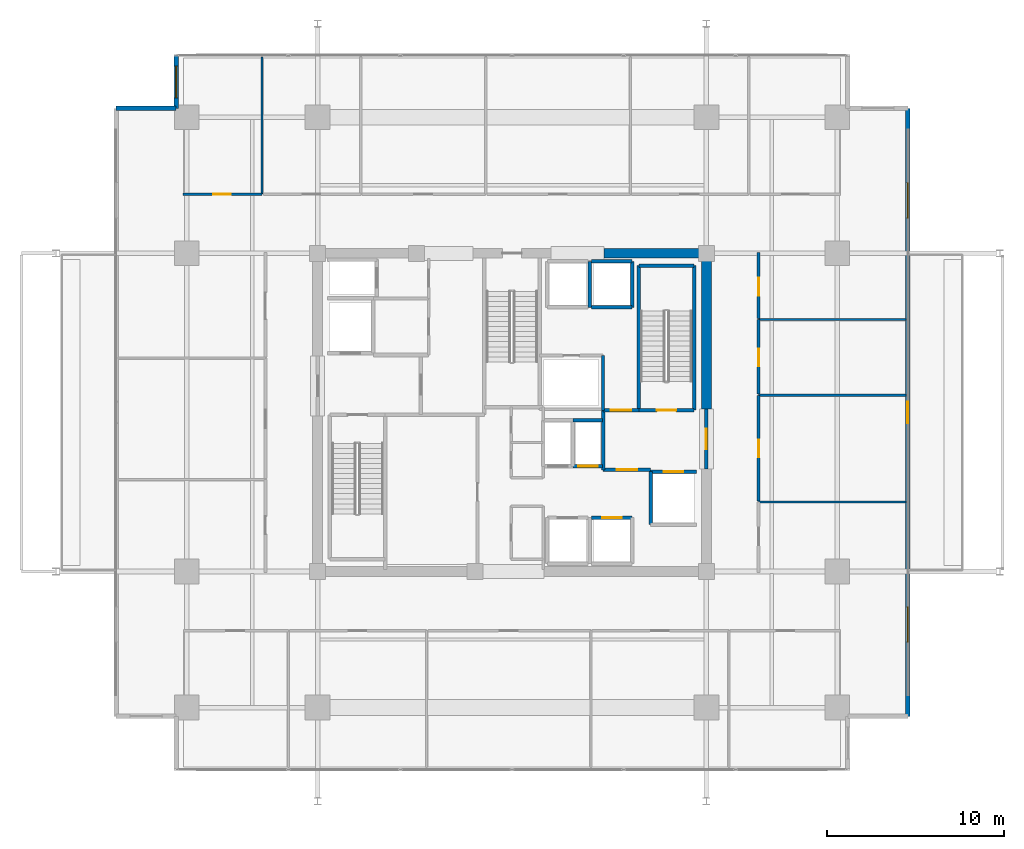
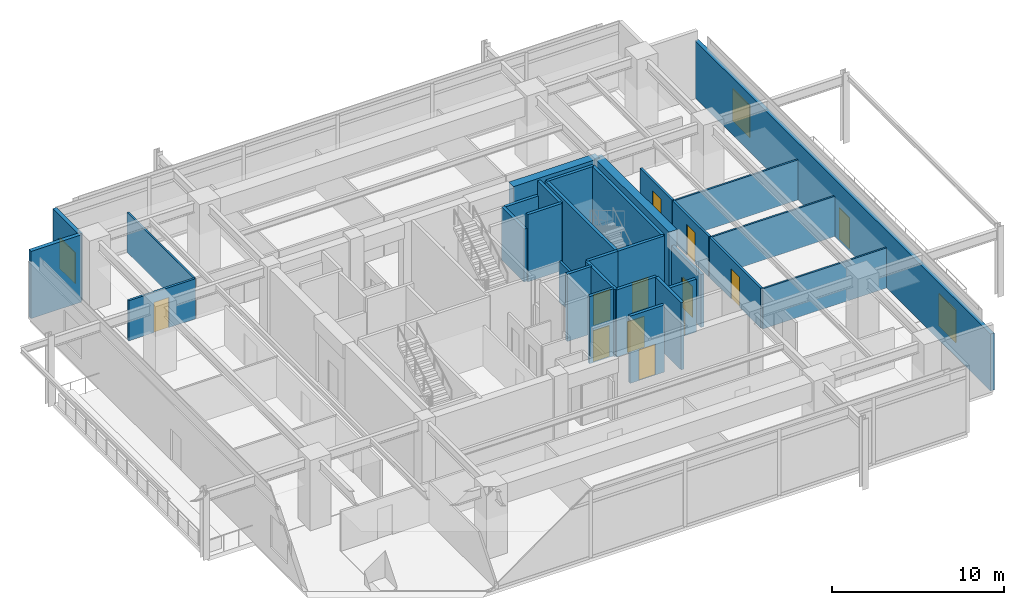
# One storey, part 14 of 19: 31 walls, 12 doors, 3 windows, 15 openings.
"""IFC4 building model written with IfcOpenShell, lengths in metres."""

from ifc_helpers import new_model, si_unit, direction, frame, frame_2d, origin, place, context, subcontext, project, spatial, rectangle, extrude, material, layer, layer_set, type_object, element, fill, save


model = new_model("IFC4")

# Units and contexts
model_context = context("Model", 3, precision=1e-05, world=origin(), true_north=direction((0.0, 1.0)))
body_context = subcontext(model_context, "Body", "Model", "MODEL_VIEW")
ifc_project = project(units=[si_unit("LENGTHUNIT", "METRE"), si_unit("AREAUNIT", "SQUARE_METRE"), si_unit("VOLUMEUNIT", "CUBIC_METRE"), si_unit("PLANEANGLEUNIT", "RADIAN"), si_unit("MASSUNIT", "GRAM", prefix="KILO")], contexts=[model_context])

# Site, building, storey
site_placement = place(None, origin())
site = spatial("IfcSite", under=ifc_project, at=site_placement, CompositionType="ELEMENT")
building_placement = place(site_placement, origin())
building = spatial("IfcBuilding", under=site, at=building_placement, Name="Kovane Verandah Tower", CompositionType="ELEMENT")
storey_placement = place(building_placement, frame((0.0, 0.0, 200.199951171875)))
storey = spatial("IfcBuildingStorey", under=building, at=storey_placement, Name="L46", CompositionType="ELEMENT", Elevation=200.199951171875)

# Wall
ifc_material_1 = material(Name="Fire-Rated Gypsum Stud Partition", Category="gypsum")
ifc_layer_1 = layer(ifc_material_1, 0.14990234375)
ifc_layer_set_1 = layer_set([ifc_layer_1], Name="Fire-Rated Gypsum Stud Partition")
wall_type_1 = type_object("IfcWallType", Name="WL-COR-150", PredefinedType="PARTITIONING", material=ifc_layer_set_1)
wall_1_placement = place(storey_placement, frame((45.14990234375, 27.6201171875, 0.0), z_axis=(0.0, 0.0, 1.0), x_axis=(0.0, 1.0, 0.0)))
element("IfcWall", 1, at=wall_1_placement, inside=storey, type_object=wall_type_1, Name="L46 East Core Service Riser East Wall", PredefinedType="PARTITIONING", context=body_context, shape_type="SweptSolid", body=[
    extrude(rectangle(XDim=3.099853515625, YDim=0.14990234375, at=frame_2d((1.5498046875, 0.0))), origin(), (0.0, 0.0, 1.0), 2.85009765625),
])

# Wall, opening, door
wall_2_placement = place(storey_placement, frame((21.39990234375, 39.85009765625, 0.0), z_axis=(0.0, 0.0, 1.0), x_axis=(1.0, 0.0, 0.0)))
wall_2 = element("IfcWall", 2, at=wall_2_placement, inside=storey, type_object=wall_type_1, Name="L46 Sky-Garden Botanical Co-Working Hall N1 Corridor Partition", PredefinedType="PARTITIONING", context=body_context, shape_type="SweptSolid", body=[
    extrude(rectangle(XDim=4.464111328125, YDim=0.14990234375, at=frame_2d((2.23193359375, 0.0))), origin(), (0.0, 0.0, 1.0), 2.85009765625),
])
opening_1_placement = place(wall_2_placement, frame((1.697021484375, 0.0, 0.0)))
opening_1 = element("IfcOpeningElement", 3, at=opening_1_placement, cuts=wall_2, Name="Opening DR-L46-018", PredefinedType="OPENING", context=body_context, shape_type="SweptSolid", body=[
    extrude(rectangle(XDim=1.0, YDim=2.14990234375, at=frame_2d((0.5, 1.074951171875))), frame((0.0, 0.074951171875, 0.0), z_axis=(0.0, -1.0, 0.0), x_axis=(1.0, 0.0, 0.0)), (0.0, 0.0, 1.0), 0.14990234375),
])
ifc_material_2 = material(Name="FSC Spotted-Gum Timber Fire-Rated Office Door", Category="wood")
door_type_1 = type_object("IfcDoorType", Name="DR-OFF-1000", OperationType="SINGLE_SWING_LEFT", PredefinedType="DOOR", material=ifc_material_2)
door_1_placement = place(opening_1_placement, origin())
door_1 = element("IfcDoor", 4, at=door_1_placement, inside=storey, type_object=door_type_1, Name="L46 Sky-Garden Botanical Co-Working Hall N1 Entrance Door", OperationType="SINGLE_SWING_RIGHT", OverallHeight=2.14990234375, OverallWidth=1.0, PredefinedType="DOOR", context=body_context, shape_type="SweptSolid", body=[
    extrude(rectangle(XDim=1.0, YDim=2.14990234375, at=frame_2d((0.5, 1.074951171875))), frame((0.0, 0.02490234375, 0.0), z_axis=(0.0, -1.0, 0.0), x_axis=(1.0, 0.0, 0.0)), (0.0, 0.0, 1.0), 0.050048828125),
])
fill(opening_1, door_1)

wall_3_placement = place(storey_placement, frame((53.949951171875, 22.501953125, 0.0), z_axis=(0.0, 0.0, 1.0), x_axis=(0.0, 1.0, 0.0)))
wall_3 = element("IfcWall", 5, at=wall_3_placement, inside=storey, type_object=wall_type_1, Name="L46 Focus Studio E2 Corridor Partition", PredefinedType="PARTITIONING", context=body_context, shape_type="SweptSolid", body=[
    extrude(rectangle(XDim=5.968017578125, YDim=0.14990234375, at=frame_2d((2.98388671875, 0.0))), origin(), (0.0, 0.0, 1.0), 2.85009765625),
])
opening_2_placement = place(wall_3_placement, frame((2.448974609375, 0.0, 0.0)))
opening_2 = element("IfcOpeningElement", 6, at=opening_2_placement, cuts=wall_3, Name="Opening DR-L46-013", PredefinedType="OPENING", context=body_context, shape_type="SweptSolid", body=[
    extrude(rectangle(XDim=1.0, YDim=2.14990234375, at=frame_2d((0.5, 1.074951171875))), frame((0.0, 0.074951171875, 0.0), z_axis=(0.0, -1.0, 0.0), x_axis=(1.0, 0.0, 0.0)), (0.0, 0.0, 1.0), 0.14990234375),
])
door_2_placement = place(opening_2_placement, origin())
door_2 = element("IfcDoor", 7, at=door_2_placement, inside=storey, type_object=door_type_1, Name="L46 Focus Studio E2 Entrance Door", OperationType="SINGLE_SWING_LEFT", OverallHeight=2.14990234375, OverallWidth=1.0, PredefinedType="DOOR", context=body_context, shape_type="SweptSolid", body=[
    extrude(rectangle(XDim=1.0, YDim=2.14990234375, at=frame_2d((0.5, 1.074951171875))), frame((0.0, 0.02490234375, 0.0), z_axis=(0.0, -1.0, 0.0), x_axis=(1.0, 0.0, 0.0)), (0.0, 0.0, 1.0), 0.050048828125),
])
fill(opening_2, door_2)

wall_4_placement = place(storey_placement, frame((53.949951171875, 28.5400390625, 0.0), z_axis=(0.0, 0.0, 1.0), x_axis=(0.0, 1.0, 0.0)))
wall_4 = element("IfcWall", 8, at=wall_4_placement, inside=storey, type_object=wall_type_1, Name="L46 Breakout Pantry E3 Corridor Partition", PredefinedType="PARTITIONING", context=body_context, shape_type="SweptSolid", body=[
    extrude(rectangle(XDim=4.208984375, YDim=0.14990234375, at=frame_2d((2.1044921875, 0.0))), origin(), (0.0, 0.0, 1.0), 2.85009765625),
])
opening_3_placement = place(wall_4_placement, frame((1.569580078125, 0.0, 0.0)))
opening_3 = element("IfcOpeningElement", 9, at=opening_3_placement, cuts=wall_4, Name="Opening DR-L46-014", PredefinedType="OPENING", context=body_context, shape_type="SweptSolid", body=[
    extrude(rectangle(XDim=1.0, YDim=2.14990234375, at=frame_2d((0.5, 1.074951171875))), frame((0.0, 0.074951171875, 0.0), z_axis=(0.0, -1.0, 0.0), x_axis=(1.0, 0.0, 0.0)), (0.0, 0.0, 1.0), 0.14990234375),
])
door_3_placement = place(opening_3_placement, origin())
door_3 = element("IfcDoor", 10, at=door_3_placement, inside=storey, type_object=door_type_1, Name="L46 Breakout Pantry E3 Entrance Door", OperationType="SINGLE_SWING_RIGHT", OverallHeight=2.14990234375, OverallWidth=1.0, PredefinedType="DOOR", context=body_context, shape_type="SweptSolid", body=[
    extrude(rectangle(XDim=1.0, YDim=2.14990234375, at=frame_2d((0.5, 1.074951171875))), frame((0.0, 0.02490234375, 0.0), z_axis=(0.0, -1.0, 0.0), x_axis=(1.0, 0.0, 0.0)), (0.0, 0.0, 1.0), 0.050048828125),
])
fill(opening_3, door_3)

wall_5_placement = place(storey_placement, frame((53.949951171875, 32.819091796875, 0.0), z_axis=(0.0, 0.0, 1.0), x_axis=(0.0, 1.0, 0.0)))
wall_5 = element("IfcWall", 11, at=wall_5_placement, inside=storey, type_object=wall_type_1, Name="L46 Collaboration Hub E4 Corridor Partition", PredefinedType="PARTITIONING", context=body_context, shape_type="SweptSolid", body=[
    extrude(rectangle(XDim=3.73095703125, YDim=0.14990234375, at=frame_2d((1.865478515625, 0.0))), origin(), (0.0, 0.0, 1.0), 2.85009765625),
])
opening_4_placement = place(wall_5_placement, frame((1.29052734375, 0.0, 0.0)))
opening_4 = element("IfcOpeningElement", 12, at=opening_4_placement, cuts=wall_5, Name="Opening DR-L46-015", PredefinedType="OPENING", context=body_context, shape_type="SweptSolid", body=[
    extrude(rectangle(XDim=1.0, YDim=2.14990234375, at=frame_2d((0.5, 1.074951171875))), frame((0.0, 0.074951171875, 0.0), z_axis=(0.0, -1.0, 0.0), x_axis=(1.0, 0.0, 0.0)), (0.0, 0.0, 1.0), 0.14990234375),
])
door_4_placement = place(opening_4_placement, origin())
door_4 = element("IfcDoor", 13, at=door_4_placement, inside=storey, type_object=door_type_1, Name="L46 Collaboration Hub E4 Entrance Door", OperationType="SINGLE_SWING_LEFT", OverallHeight=2.14990234375, OverallWidth=1.0, PredefinedType="DOOR", context=body_context, shape_type="SweptSolid", body=[
    extrude(rectangle(XDim=1.0, YDim=2.14990234375, at=frame_2d((0.5, 1.074951171875))), frame((0.0, 0.02490234375, 0.0), z_axis=(0.0, -1.0, 0.0), x_axis=(1.0, 0.0, 0.0)), (0.0, 0.0, 1.0), 0.050048828125),
])
fill(opening_4, door_4)

# Walls
ifc_material_3 = material(Name="Concrete C60/75", Category="concrete")
ifc_layer_2 = layer(ifc_material_3, 0.550048828125)
ifc_layer_set_2 = layer_set([ifc_layer_2], Name="Concrete C60/75")
wall_type_2 = type_object("IfcWallType", Name="WL-CORE-550", PredefinedType="SHEAR", material=ifc_layer_set_2)
wall_6_placement = place(storey_placement, frame((45.199951171875, 36.5, 0.0), z_axis=(0.0, 0.0, 1.0), x_axis=(1.0, 0.0, 0.0)))
element("IfcWall", 14, at=wall_6_placement, inside=storey, type_object=wall_type_2, Name="L46 Core Shear Wall CN-3", PredefinedType="SHEAR", context=body_context, shape_type="SweptSolid", body=[
    extrude(rectangle(XDim=5.800048828125, YDim=0.550048828125, at=frame_2d((2.89990234375, 0.0))), origin(), (0.0, 0.0, 1.0), 4.775146484375),
])
wall_7_placement = place(storey_placement, frame((51.0, 27.699951171875, 0.0), z_axis=(0.0, 0.0, 1.0), x_axis=(0.0, 1.0, 0.0)))
element("IfcWall", 15, at=wall_7_placement, inside=storey, type_object=wall_type_2, Name="L46 Core Shear Wall CE-2", PredefinedType="SHEAR", context=body_context, shape_type="SweptSolid", body=[
    extrude(rectangle(XDim=8.800048828125, YDim=0.550048828125, at=frame_2d((4.39990234375, 0.0))), origin(), (0.0, 0.0, 1.0), 4.775146484375),
])
ifc_material_4 = material(Name="Concrete C45/55 Fire Wall", Category="concrete")
ifc_layer_3 = layer(ifc_material_4, 0.199951171875)
ifc_layer_set_3 = layer_set([ifc_layer_3], Name="Concrete C45/55 Fire Wall")
wall_type_3 = type_object("IfcWallType", Name="WL-FFL-200", PredefinedType="PARTITIONING", material=ifc_layer_set_3)
wall_8_placement = place(storey_placement, frame((45.14990234375, 24.25, 0.0), z_axis=(0.0, 0.0, 1.0), x_axis=(0.0, 1.0, 0.0)))
element("IfcWall", 16, at=wall_8_placement, inside=storey, type_object=wall_type_3, Name="L46 East Firefighting Lobby West Fire Wall", PredefinedType="PARTITIONING", context=body_context, shape_type="SweptSolid", body=[
    extrude(rectangle(XDim=3.3701171875, YDim=0.199951171875, at=frame_2d((1.68505859375, 0.0))), origin(), (0.0, 0.0, 1.0), 4.775146484375),
])

# Wall, opening, door
wall_9_placement = place(storey_placement, frame((45.14990234375, 24.25, 0.0), z_axis=(0.0, 0.0, 1.0), x_axis=(1.0, 0.0, 0.0)))
wall_9 = element("IfcWall", 17, at=wall_9_placement, inside=storey, type_object=wall_type_3, Name="W-L46-FFLE-S", PredefinedType="PARTITIONING", context=body_context, shape_type="SweptSolid", body=[
    extrude(rectangle(XDim=2.7001953125, YDim=0.199951171875, at=frame_2d((1.35009765625, 0.0))), origin(), (0.0, 0.0, 1.0), 4.775146484375),
])
opening_5_placement = place(wall_9_placement, frame((0.77490234375, 0.0, 0.0)))
opening_5 = element("IfcOpeningElement", 18, at=opening_5_placement, cuts=wall_9, Name="Opening DR-L46-003", PredefinedType="OPENING", context=body_context, shape_type="SweptSolid", body=[
    extrude(rectangle(XDim=1.14990234375, YDim=2.199951171875, at=frame_2d((0.574951171875, 1.10009765625))), frame((0.0, 0.10009765625, 0.0), z_axis=(0.0, -1.0, 0.0), x_axis=(1.0, 0.0, 0.0)), (0.0, 0.0, 1.0), 0.199951171875),
])
ifc_material_5 = material(Name="Smoke-Sealed Firefighting Lobby Door", Category="steel")
door_type_2 = type_object("IfcDoorType", Name="DR-FFL-1150", OperationType="SINGLE_SWING_LEFT", PredefinedType="DOOR", material=ifc_material_5)
door_5_placement = place(opening_5_placement, origin())
door_5 = element("IfcDoor", 19, at=door_5_placement, inside=storey, type_object=door_type_2, Name="L46 East Firefighting Lobby Inner Door", OperationType="SINGLE_SWING_RIGHT", OverallHeight=2.199951171875, OverallWidth=1.14990234375, PredefinedType="DOOR", context=body_context, shape_type="SweptSolid", body=[
    extrude(rectangle(XDim=1.14990234375, YDim=2.199951171875, at=frame_2d((0.574951171875, 1.10009765625))), frame((0.0, 0.02490234375, 0.0), z_axis=(0.0, -1.0, 0.0), x_axis=(1.0, 0.0, 0.0)), (0.0, 0.0, 1.0), 0.050048828125),
])
fill(opening_5, door_5)

wall_10_placement = place(storey_placement, frame((45.14990234375, 27.6201171875, 0.0), z_axis=(0.0, 0.0, 1.0), x_axis=(1.0, 0.0, 0.0)))
wall_10 = element("IfcWall", 20, at=wall_10_placement, inside=storey, type_object=wall_type_3, Name="W-L46-FFLE-N", PredefinedType="PARTITIONING", context=body_context, shape_type="SweptSolid", body=[
    extrude(rectangle(XDim=2.030029296875, YDim=0.199951171875, at=frame_2d((1.01513671875, 0.0))), origin(), (0.0, 0.0, 1.0), 4.775146484375),
])
opening_6_placement = place(wall_10_placement, frame((0.43994140625, 0.0, 0.0)))
opening_6 = element("IfcOpeningElement", 21, at=opening_6_placement, cuts=wall_10, Name="Opening DR-L46-004", PredefinedType="OPENING", context=body_context, shape_type="SweptSolid", body=[
    extrude(rectangle(XDim=1.14990234375, YDim=2.199951171875, at=frame_2d((0.574951171875, 1.10009765625))), frame((0.0, 0.10009765625, 0.0), z_axis=(0.0, -1.0, 0.0), x_axis=(1.0, 0.0, 0.0)), (0.0, 0.0, 1.0), 0.199951171875),
])
door_6_placement = place(opening_6_placement, origin())
door_6 = element("IfcDoor", 22, at=door_6_placement, inside=storey, type_object=door_type_2, Name="L46 East Firefighting Lobby Shuttle Link Door", OperationType="SINGLE_SWING_LEFT", OverallHeight=2.199951171875, OverallWidth=1.14990234375, PredefinedType="DOOR", context=body_context, shape_type="SweptSolid", body=[
    extrude(rectangle(XDim=1.14990234375, YDim=2.199951171875, at=frame_2d((0.574951171875, 1.10009765625))), frame((0.0, 0.02490234375, 0.0), z_axis=(0.0, -1.0, 0.0), x_axis=(1.0, 0.0, 0.0)), (0.0, 0.0, 1.0), 0.050048828125),
])
fill(opening_6, door_6)

wall_11_placement = place(storey_placement, frame((51.0, 24.300048828125, 0.0), z_axis=(0.0, 0.0, 1.0), x_axis=(0.0, 1.0, 0.0)))
wall_11 = element("IfcWall", 23, at=wall_11_placement, inside=storey, type_object=wall_type_3, Name="W-L46-FFLE-OUT", PredefinedType="PARTITIONING", context=body_context, shape_type="SweptSolid", body=[
    extrude(rectangle(XDim=3.39990234375, YDim=0.199951171875, at=frame_2d((1.699951171875, 0.0))), origin(), (0.0, 0.0, 1.0), 3.755126953125),
])
opening_7_placement = place(wall_11_placement, frame((1.125, 0.0, 0.0)))
opening_7 = element("IfcOpeningElement", 24, at=opening_7_placement, cuts=wall_11, Name="Opening DR-L46-005", PredefinedType="OPENING", context=body_context, shape_type="SweptSolid", body=[
    extrude(rectangle(XDim=1.14990234375, YDim=2.199951171875, at=frame_2d((0.574951171875, 1.10009765625))), frame((0.0, 0.10009765625, 0.0), z_axis=(0.0, -1.0, 0.0), x_axis=(1.0, 0.0, 0.0)), (0.0, 0.0, 1.0), 0.199951171875),
])
door_7_placement = place(opening_7_placement, origin())
door_7 = element("IfcDoor", 25, at=door_7_placement, inside=storey, type_object=door_type_2, Name="L46 East Firefighting Lobby Corridor Door", OperationType="SINGLE_SWING_LEFT", OverallHeight=2.199951171875, OverallWidth=1.14990234375, PredefinedType="DOOR", context=body_context, shape_type="SweptSolid", body=[
    extrude(rectangle(XDim=1.14990234375, YDim=2.199951171875, at=frame_2d((0.574951171875, 1.10009765625))), frame((0.0, 0.02490234375, 0.0), z_axis=(0.0, -1.0, 0.0), x_axis=(1.0, 0.0, 0.0)), (0.0, 0.0, 1.0), 0.050048828125),
])
fill(opening_7, door_7)

ifc_material_6 = material(Name="Concrete C45/55 Lift Shaft Wall", Category="concrete")
ifc_layer_4 = layer(ifc_material_6, 0.199951171875)
ifc_layer_set_4 = layer_set([ifc_layer_4], Name="Concrete C45/55 Lift Shaft Wall")
wall_type_4 = type_object("IfcWallType", Name="WL-LIFT-200", PredefinedType="SOLIDWALL", material=ifc_layer_set_4)
wall_12_placement = place(storey_placement, frame((50.449951171875, 24.14990234375, 0.0), z_axis=(0.0, 0.0, 1.0), x_axis=(-1.0, 0.0, 0.0)))
wall_12 = element("IfcWall", 26, at=wall_12_placement, inside=storey, type_object=wall_type_4, Name="L46 Lift FL-02 N Shaft Wall", PredefinedType="SOLIDWALL", context=body_context, shape_type="SweptSolid", body=[
    extrude(rectangle(XDim=2.599853515625, YDim=0.199951171875, at=frame_2d((1.2998046875, 0.0))), origin(), (0.0, 0.0, 1.0), 3.755126953125),
])
opening_8_placement = place(wall_12_placement, frame((0.75, 0.0, 0.0)))
opening_8 = element("IfcOpeningElement", 27, at=opening_8_placement, cuts=wall_12, Name="Opening LD-L46-002", PredefinedType="OPENING", context=body_context, shape_type="SweptSolid", body=[
    extrude(rectangle(XDim=1.10009765625, YDim=2.199951171875, at=frame_2d((0.550048828125, 1.10009765625))), frame((0.0, 0.10009765625, 0.0), z_axis=(0.0, -1.0, 0.0), x_axis=(1.0, 0.0, 0.0)), (0.0, 0.0, 1.0), 0.199951171875),
])
ifc_material_7 = material(Name="Brushed Stainless Steel Sliding Lift Landing Door", Category="steel")
door_type_3 = type_object("IfcDoorType", Name="DR-LIFT-1100", OperationType="SLIDING_TO_RIGHT", PredefinedType="DOOR", material=ifc_material_7)
door_8_placement = place(opening_8_placement, origin())
door_8 = element("IfcDoor", 28, at=door_8_placement, inside=storey, type_object=door_type_3, Name="L46 Lift FL-02 Sliding Landing Door", OperationType="SLIDING_TO_RIGHT", OverallHeight=2.199951171875, OverallWidth=1.10009765625, PredefinedType="DOOR", context=body_context, shape_type="SweptSolid", body=[
    extrude(rectangle(XDim=1.10009765625, YDim=2.199951171875, at=frame_2d((0.550048828125, 1.10009765625))), frame((0.0, 0.02490234375, 0.0), z_axis=(0.0, -1.0, 0.0), x_axis=(1.0, 0.0, 0.0)), (0.0, 0.0, 1.0), 0.050048828125),
])
fill(opening_8, door_8)

# Wall
wall_13_placement = place(storey_placement, frame((47.85009765625, 24.14990234375, 0.0), z_axis=(0.0, 0.0, 1.0), x_axis=(0.0, -1.0, 0.0)))
element("IfcWall", 29, at=wall_13_placement, inside=storey, type_object=wall_type_4, Name="L46 Lift FL-02 W Shaft Wall", PredefinedType="SOLIDWALL", context=body_context, shape_type="SweptSolid", body=[
    extrude(rectangle(XDim=3.0, YDim=0.199951171875, at=frame_2d((1.5, 0.0))), origin(), (0.0, 0.0, 1.0), 4.775146484375),
])

# Wall, opening, door
wall_14_placement = place(storey_placement, frame((46.800048828125, 21.550048828125, 0.0), z_axis=(0.0, 0.0, 1.0), x_axis=(-1.0, 0.0, 0.0)))
wall_14 = element("IfcWall", 30, at=wall_14_placement, inside=storey, type_object=wall_type_4, Name="L46 Lift PL-M2 N Shaft Wall", PredefinedType="SOLIDWALL", context=body_context, shape_type="SweptSolid", body=[
    extrude(rectangle(XDim=2.300048828125, YDim=0.199951171875, at=frame_2d((1.14990234375, 0.0))), origin(), (0.0, 0.0, 1.0), 4.775146484375),
])
opening_9_placement = place(wall_14_placement, frame((0.60009765625, 0.0, 0.0)))
opening_9 = element("IfcOpeningElement", 31, at=opening_9_placement, cuts=wall_14, Name="Opening LD-L46-005", PredefinedType="OPENING", context=body_context, shape_type="SweptSolid", body=[
    extrude(rectangle(XDim=1.10009765625, YDim=2.199951171875, at=frame_2d((0.550048828125, 1.10009765625))), frame((0.0, 0.10009765625, 0.0), z_axis=(0.0, -1.0, 0.0), x_axis=(1.0, 0.0, 0.0)), (0.0, 0.0, 1.0), 0.199951171875),
])
door_9_placement = place(opening_9_placement, origin())
door_9 = element("IfcDoor", 32, at=door_9_placement, inside=storey, type_object=door_type_3, Name="L46 Lift PL-M2 Sliding Landing Door", OperationType="SLIDING_TO_RIGHT", OverallHeight=2.199951171875, OverallWidth=1.10009765625, PredefinedType="DOOR", context=body_context, shape_type="SweptSolid", body=[
    extrude(rectangle(XDim=1.10009765625, YDim=2.199951171875, at=frame_2d((0.550048828125, 1.10009765625))), frame((0.0, 0.02490234375, 0.0), z_axis=(0.0, -1.0, 0.0), x_axis=(1.0, 0.0, 0.0)), (0.0, 0.0, 1.0), 0.050048828125),
])
fill(opening_9, door_9)

wall_15_placement = place(storey_placement, frame((43.4599609375, 24.449951171875, 0.0), z_axis=(0.0, 0.0, 1.0), x_axis=(1.0, 0.0, 0.0)))
wall_15 = element("IfcWall", 33, at=wall_15_placement, inside=storey, type_object=wall_type_4, Name="L46 Lift PL-M4 S Shaft Wall", PredefinedType="SOLIDWALL", context=body_context, shape_type="SweptSolid", body=[
    extrude(rectangle(XDim=1.66015625, YDim=0.199951171875, at=frame_2d((0.830078125, 0.0))), origin(), (0.0, 0.0, 1.0), 4.775146484375),
])
opening_10_placement = place(wall_15_placement, frame((0.280029296875, 0.0, 0.0)))
opening_10 = element("IfcOpeningElement", 34, at=opening_10_placement, cuts=wall_15, Name="Opening LD-L46-007", PredefinedType="OPENING", context=body_context, shape_type="SweptSolid", body=[
    extrude(rectangle(XDim=1.10009765625, YDim=2.199951171875, at=frame_2d((0.550048828125, 1.10009765625))), frame((0.0, 0.10009765625, 0.0), z_axis=(0.0, -1.0, 0.0), x_axis=(1.0, 0.0, 0.0)), (0.0, 0.0, 1.0), 0.199951171875),
])
door_10_placement = place(opening_10_placement, origin())
door_10 = element("IfcDoor", 35, at=door_10_placement, inside=storey, type_object=door_type_3, Name="L46 Lift PL-M4 Sliding Landing Door", OperationType="SLIDING_TO_RIGHT", OverallHeight=2.199951171875, OverallWidth=1.10009765625, PredefinedType="DOOR", context=body_context, shape_type="SweptSolid", body=[
    extrude(rectangle(XDim=1.10009765625, YDim=2.199951171875, at=frame_2d((0.550048828125, 1.10009765625))), frame((0.0, 0.02490234375, 0.0), z_axis=(0.0, -1.0, 0.0), x_axis=(1.0, 0.0, 0.0)), (0.0, 0.0, 1.0), 0.050048828125),
])
fill(opening_10, door_10)

# Walls
wall_16_placement = place(storey_placement, frame((45.1201171875, 27.050048828125, 0.0), z_axis=(0.0, 0.0, 1.0), x_axis=(-1.0, 0.0, 0.0)))
element("IfcWall", 36, at=wall_16_placement, inside=storey, type_object=wall_type_4, Name="L46 Lift PL-M4 N Shaft Wall", PredefinedType="SOLIDWALL", context=body_context, shape_type="SweptSolid", body=[
    extrude(rectangle(XDim=1.66015625, YDim=0.199951171875, at=frame_2d((0.830078125, 0.0))), origin(), (0.0, 0.0, 1.0), 4.775146484375),
])
wall_17_placement = place(storey_placement, frame((44.39990234375, 33.449951171875, 0.0), z_axis=(0.0, 0.0, 1.0), x_axis=(0.0, 1.0, 0.0)))
element("IfcWall", 37, at=wall_17_placement, inside=storey, type_object=wall_type_4, Name="L46 Lift OL-01 and SL-01 Shared Shaft Wall", PredefinedType="SOLIDWALL", context=body_context, shape_type="SweptSolid", body=[
    extrude(rectangle(XDim=2.60009765625, YDim=0.199951171875, at=frame_2d((1.300048828125, 0.0))), origin(), (0.0, 0.0, 1.0), 3.755126953125),
])
wall_18_placement = place(storey_placement, frame((44.5, 33.449951171875, 0.0), z_axis=(0.0, 0.0, 1.0), x_axis=(1.0, 0.0, 0.0)))
element("IfcWall", 38, at=wall_18_placement, inside=storey, type_object=wall_type_4, Name="L46 Lift OL-01 S Shaft Wall", PredefinedType="SOLIDWALL", context=body_context, shape_type="SweptSolid", body=[
    extrude(rectangle(XDim=2.300048828125, YDim=0.199951171875, at=frame_2d((1.14990234375, 0.0))), origin(), (0.0, 0.0, 1.0), 4.775146484375),
])
wall_19_placement = place(storey_placement, frame((46.800048828125, 36.050048828125, 0.0), z_axis=(0.0, 0.0, 1.0), x_axis=(-1.0, 0.0, 0.0)))
element("IfcWall", 39, at=wall_19_placement, inside=storey, type_object=wall_type_4, Name="L46 Lift OL-01 N Shaft Wall", PredefinedType="SOLIDWALL", context=body_context, shape_type="SweptSolid", body=[
    extrude(rectangle(XDim=2.300048828125, YDim=0.199951171875, at=frame_2d((1.14990234375, 0.0))), origin(), (0.0, 0.0, 1.0), 3.755126953125),
])
wall_20_placement = place(storey_placement, frame((46.800048828125, 33.449951171875, 0.0), z_axis=(0.0, 0.0, 1.0), x_axis=(0.0, 1.0, 0.0)))
element("IfcWall", 40, at=wall_20_placement, inside=storey, type_object=wall_type_4, Name="L46 Lift OL-01 E Shaft Wall", PredefinedType="SOLIDWALL", context=body_context, shape_type="SweptSolid", body=[
    extrude(rectangle(XDim=2.60009765625, YDim=0.199951171875, at=frame_2d((1.300048828125, 0.0))), origin(), (0.0, 0.0, 1.0), 4.775146484375),
])
ifc_material_8 = material(Name="Acoustic Fire-Rated Gypsum Partition", Category="gypsum")
ifc_layer_5 = layer(ifc_material_8, 0.1201171875)
ifc_layer_set_5 = layer_set([ifc_layer_5], Name="Acoustic Fire-Rated Gypsum Partition")
wall_type_5 = type_object("IfcWallType", Name="WL-PART-120", PredefinedType="PARTITIONING", material=ifc_layer_set_5)
wall_21_placement = place(storey_placement, frame((25.864013671875, 39.85009765625, 0.0), z_axis=(0.0, 0.0, 1.0), x_axis=(0.0, 1.0, 0.0)))
element("IfcWall", 41, at=wall_21_placement, inside=storey, type_object=wall_type_5, Name="L46 Sky-Garden Botanical Co-Working Hall N1 Dividing Partition", PredefinedType="PARTITIONING", context=body_context, shape_type="SweptSolid", body=[
    extrude(rectangle(XDim=7.75, YDim=0.1201171875, at=frame_2d((3.875, 0.0))), origin(), (0.0, 0.0, 1.0), 2.85009765625),
])
for number, where, z_axis, x_axis, name in (
    (42, (53.949951171875, 22.431884765625, 0.0), (0.0, 0.0, 1.0), (1.0, 0.0, 0.0), "L46 Meeting Room E1 Dividing Partition"),
    (43, (53.949951171875, 28.469970703125, 0.0), (0.0, 0.0, 1.0), (1.0, 0.0, 0.0), "L46 Focus Studio E2 Dividing Partition"),
    (44, (53.949951171875, 32.7490234375, 0.0), (0.0, 0.0, 1.0), (1.0, 0.0, 0.0), "L46 Breakout Pantry E3 Dividing Partition"),
):
    element("IfcWall", number, at=place(storey_placement, frame(where, z_axis=z_axis, x_axis=x_axis)), inside=storey, type_object=wall_type_5, Name=name, PredefinedType="PARTITIONING", context=body_context, shape_type="SweptSolid", body=[
        extrude(rectangle(XDim=8.35009765625, YDim=0.1201171875, at=frame_2d((4.175048828125, 0.0))), origin(), (0.0, 0.0, 1.0), 2.85009765625),
    ])
ifc_material_9 = material(Name="Concrete C45/55", Category="concrete")
ifc_layer_6 = layer(ifc_material_9, 0.199951171875)
ifc_layer_set_6 = layer_set([ifc_layer_6], Name="Concrete C45/55")
wall_type_6 = type_object("IfcWallType", Name="WL-SHAFT-200", PredefinedType="SOLIDWALL", material=ifc_layer_set_6)
wall_22_placement = place(storey_placement, frame((50.300048828125, 27.64990234375, 0.0), z_axis=(0.0, 0.0, 1.0), x_axis=(0.0, 1.0, 0.0)))
element("IfcWall", 45, at=wall_22_placement, inside=storey, type_object=wall_type_6, Name="W-L46-ST02-E", PredefinedType="SOLIDWALL", context=body_context, shape_type="SweptSolid", body=[
    extrude(rectangle(XDim=8.150146484375, YDim=0.199951171875, at=frame_2d((4.0751953125, 0.0))), origin(), (0.0, 0.0, 1.0), 4.775146484375),
])
wall_23_placement = place(storey_placement, frame((47.179931640625, 35.800048828125, 0.0), z_axis=(0.0, 0.0, 1.0), x_axis=(1.0, 0.0, 0.0)))
element("IfcWall", 46, at=wall_23_placement, inside=storey, type_object=wall_type_6, Name="W-L46-ST02-N", PredefinedType="SOLIDWALL", context=body_context, shape_type="SweptSolid", body=[
    extrude(rectangle(XDim=3.1201171875, YDim=0.199951171875, at=frame_2d((1.56005859375, 0.0))), origin(), (0.0, 0.0, 1.0), 4.775146484375),
])
wall_24_placement = place(storey_placement, frame((47.179931640625, 27.6201171875, 0.0), z_axis=(0.0, 0.0, 1.0), x_axis=(0.0, 1.0, 0.0)))
element("IfcWall", 47, at=wall_24_placement, inside=storey, type_object=wall_type_6, Name="W-L46-ST02-W", PredefinedType="SOLIDWALL", context=body_context, shape_type="SweptSolid", body=[
    extrude(rectangle(XDim=8.179931640625, YDim=0.199951171875, at=frame_2d((4.08984375, 0.0))), origin(), (0.0, 0.0, 1.0), 4.775146484375),
])

# Wall, opening, door
wall_25_placement = place(storey_placement, frame((47.179931640625, 27.6201171875, 0.0), z_axis=(0.0, 0.0, 1.0), x_axis=(1.0, 0.0, 0.0)))
wall_25 = element("IfcWall", 48, at=wall_25_placement, inside=storey, type_object=wall_type_6, Name="W-L46-ST02-S", PredefinedType="SOLIDWALL", context=body_context, shape_type="SweptSolid", body=[
    extrude(rectangle(XDim=3.1201171875, YDim=0.199951171875, at=frame_2d((1.56005859375, 0.0))), origin(), (0.0, 0.0, 1.0), 4.775146484375),
])
opening_11_placement = place(wall_25_placement, frame((1.010009765625, 0.0, 0.0)))
opening_11 = element("IfcOpeningElement", 49, at=opening_11_placement, cuts=wall_25, Name="Opening DR-L46-010", PredefinedType="OPENING", context=body_context, shape_type="SweptSolid", body=[
    extrude(rectangle(XDim=1.10009765625, YDim=2.14990234375, at=frame_2d((0.550048828125, 1.074951171875))), frame((0.0, 0.10009765625, 0.0), z_axis=(0.0, -1.0, 0.0), x_axis=(1.0, 0.0, 0.0)), (0.0, 0.0, 1.0), 0.199951171875),
])
ifc_material_10 = material(Name="Fire-Rated Steel Exit Door", Category="steel")
door_type_4 = type_object("IfcDoorType", Name="DR-STAIR-1100", OperationType="SINGLE_SWING_LEFT", PredefinedType="DOOR", material=ifc_material_10)
door_11_placement = place(opening_11_placement, origin())
door_11 = element("IfcDoor", 50, at=door_11_placement, inside=storey, type_object=door_type_4, Name="L46 ST-02 Fire Exit Stair Door", OperationType="SINGLE_SWING_LEFT", OverallHeight=2.14990234375, OverallWidth=1.10009765625, PredefinedType="DOOR", context=body_context, shape_type="SweptSolid", body=[
    extrude(rectangle(XDim=1.10009765625, YDim=2.14990234375, at=frame_2d((0.550048828125, 1.074951171875))), frame((0.0, 0.02490234375, 0.0), z_axis=(0.0, -1.0, 0.0), x_axis=(1.0, 0.0, 0.0)), (0.0, 0.0, 1.0), 0.050048828125),
])
fill(opening_11, door_11)

# Wall, openings, door, windows
ifc_material_11 = material(Name="Concrete C45/55 Insulated Spandrel Wall", Category="concrete")
ifc_layer_7 = layer(ifc_material_11, 0.260009765625)
ifc_layer_set_7 = layer_set([ifc_layer_7], Name="Concrete C45/55 Insulated Spandrel Wall")
wall_type_7 = type_object("IfcWallType", Name="WL-SPANDREL-260", PredefinedType="PARAPET", material=ifc_layer_set_7)
wall_26_placement = place(storey_placement, frame((62.39990234375, 10.300048828125, 0.0), z_axis=(0.0, 0.0, 1.0), x_axis=(0.0, 1.0, 0.0)))
wall_26 = element("IfcWall", 51, at=wall_26_placement, inside=storey, type_object=wall_type_7, Name="L46 E Verandah Access Facade Wall", PredefinedType="PARAPET", context=body_context, shape_type="SweptSolid", body=[
    extrude(rectangle(XDim=34.39990234375, YDim=0.260009765625, at=frame_2d((17.199951171875, 0.0))), origin(), (0.0, 0.0, 1.0), 4.047119140625),
])
opening_12_placement = place(wall_26_placement, frame((4.199951171875, 0.0, 0.85009765625)))
opening_12 = element("IfcOpeningElement", 52, at=opening_12_placement, cuts=wall_26, Name="Opening W-04", PredefinedType="OPENING", context=body_context, shape_type="SweptSolid", body=[
    extrude(rectangle(XDim=2.0, YDim=2.300048828125, at=frame_2d((1.0, 1.14990234375))), frame((0.0, 0.1298828125, 0.0), z_axis=(0.0, -1.0, 0.0), x_axis=(1.0, 0.0, 0.0)), (0.0, 0.0, 1.0), 0.260009765625),
])
opening_13_placement = place(wall_26_placement, frame((16.60009765625, 0.0, 0.0)))
opening_13 = element("IfcOpeningElement", 53, at=opening_13_placement, cuts=wall_26, Name="Opening DR-L46-001", PredefinedType="OPENING", context=body_context, shape_type="SweptSolid", body=[
    extrude(rectangle(XDim=1.199951171875, YDim=2.199951171875, at=frame_2d((0.60009765625, 1.10009765625))), frame((0.0, 0.1298828125, 0.0), z_axis=(0.0, -1.0, 0.0), x_axis=(1.0, 0.0, 0.0)), (0.0, 0.0, 1.0), 0.260009765625),
])
opening_14_placement = place(wall_26_placement, frame((28.199951171875, 0.0, 0.85009765625)))
opening_14 = element("IfcOpeningElement", 54, at=opening_14_placement, cuts=wall_26, Name="Opening W-04", PredefinedType="OPENING", context=body_context, shape_type="SweptSolid", body=[
    extrude(rectangle(XDim=2.0, YDim=2.300048828125, at=frame_2d((1.0, 1.14990234375))), frame((0.0, 0.1298828125, 0.0), z_axis=(0.0, -1.0, 0.0), x_axis=(1.0, 0.0, 0.0)), (0.0, 0.0, 1.0), 0.260009765625),
])
ifc_material_12 = material(Name="Cyclone-Rated Glazed Balcony Leaf Door", Category="aluminium")
door_type_5 = type_object("IfcDoorType", Name="DR-BAL-1200x2200", OperationType="SINGLE_SWING_LEFT", PredefinedType="DOOR", material=ifc_material_12)
door_12_placement = place(opening_13_placement, origin())
door_12 = element("IfcDoor", 55, at=door_12_placement, inside=storey, type_object=door_type_5, Name="L46 E Planted Balcony Access Door", OperationType="SINGLE_SWING_LEFT", OverallHeight=2.199951171875, OverallWidth=1.199951171875, PredefinedType="DOOR", context=body_context, shape_type="SweptSolid", body=[
    extrude(rectangle(XDim=1.199951171875, YDim=2.199951171875, at=frame_2d((0.60009765625, 1.10009765625))), frame((0.0, 0.02490234375, 0.0), z_axis=(0.0, -1.0, 0.0), x_axis=(1.0, 0.0, 0.0)), (0.0, 0.0, 1.0), 0.050048828125),
])
fill(opening_13, door_12)
ifc_material_13 = material(Name="Clear Low-E Laminated Double Glazing in Anodised Frame", Category="glass")
window_type_1 = type_object("IfcWindowType", Name="WN-FIXED-2000x2300", PartitioningType="SINGLE_PANEL", PredefinedType="WINDOW", material=ifc_material_13)
window_1_placement = place(opening_12_placement, origin())
window_1 = element("IfcWindow", 56, at=window_1_placement, inside=storey, type_object=window_type_1, Name="L46 E Verandah View Window 1", OverallHeight=2.300048828125, OverallWidth=2.0, PartitioningType="SINGLE_PANEL", PredefinedType="WINDOW", context=body_context, shape_type="SweptSolid", body=[
    extrude(rectangle(XDim=2.0, YDim=2.300048828125, at=frame_2d((1.0, 1.14990234375))), frame((0.0, 0.030029296875, 0.0), z_axis=(0.0, -1.0, 0.0), x_axis=(1.0, 0.0, 0.0)), (0.0, 0.0, 1.0), 0.06005859375),
])
fill(opening_12, window_1)
window_2_placement = place(opening_14_placement, origin())
window_2 = element("IfcWindow", 57, at=window_2_placement, inside=storey, type_object=window_type_1, Name="L46 E Verandah View Window 2", OverallHeight=2.300048828125, OverallWidth=2.0, PartitioningType="SINGLE_PANEL", PredefinedType="WINDOW", context=body_context, shape_type="SweptSolid", body=[
    extrude(rectangle(XDim=2.0, YDim=2.300048828125, at=frame_2d((1.0, 1.14990234375))), frame((0.0, 0.030029296875, 0.0), z_axis=(0.0, -1.0, 0.0), x_axis=(1.0, 0.0, 0.0)), (0.0, 0.0, 1.0), 0.06005859375),
])
fill(opening_14, window_2)

# Wall, opening, window
wall_27_placement = place(storey_placement, frame((21.0, 47.699951171875, 0.0), z_axis=(0.0, 0.0, 1.0), x_axis=(0.0, -1.0, 0.0)))
wall_27 = element("IfcWall", 58, at=wall_27_placement, inside=storey, type_object=wall_type_7, Name="L46 NW Notch Cheek Wall 1", PredefinedType="PARAPET", context=body_context, shape_type="SweptSolid", body=[
    extrude(rectangle(XDim=3.0, YDim=0.260009765625, at=frame_2d((1.5, 0.0))), origin(), (0.0, 0.0, 1.0), 4.775146484375),
])
opening_15_placement = place(wall_27_placement, frame((0.60009765625, 0.0, 0.85009765625)))
opening_15 = element("IfcOpeningElement", 59, at=opening_15_placement, cuts=wall_27, Name="Opening W-03", PredefinedType="OPENING", context=body_context, shape_type="SweptSolid", body=[
    extrude(rectangle(XDim=1.800048828125, YDim=2.199951171875, at=frame_2d((0.89990234375, 1.10009765625))), frame((0.0, 0.1298828125, 0.0), z_axis=(0.0, -1.0, 0.0), x_axis=(1.0, 0.0, 0.0)), (0.0, 0.0, 1.0), 0.260009765625),
])
window_type_2 = type_object("IfcWindowType", Name="WN-NOTCH-1800x2200", PartitioningType="SINGLE_PANEL", PredefinedType="WINDOW", material=ifc_material_13)
window_3_placement = place(opening_15_placement, origin())
window_3 = element("IfcWindow", 60, at=window_3_placement, inside=storey, type_object=window_type_2, Name="L46 NW Re-Entrant Corner Operable Window", OverallHeight=2.199951171875, OverallWidth=1.800048828125, PartitioningType="SINGLE_PANEL", PredefinedType="WINDOW", context=body_context, shape_type="SweptSolid", body=[
    extrude(rectangle(XDim=1.800048828125, YDim=2.199951171875, at=frame_2d((0.89990234375, 1.10009765625))), frame((0.0, 0.030029296875, 0.0), z_axis=(0.0, -1.0, 0.0), x_axis=(1.0, 0.0, 0.0)), (0.0, 0.0, 1.0), 0.06005859375),
])
fill(opening_15, window_3)

# Wall
wall_28_placement = place(storey_placement, frame((21.0, 44.699951171875, 0.0), z_axis=(0.0, 0.0, 1.0), x_axis=(-1.0, 0.0, 0.0)))
element("IfcWall", 61, at=wall_28_placement, inside=storey, type_object=wall_type_7, Name="L46 NW Notch Cheek Wall 2", PredefinedType="PARAPET", context=body_context, shape_type="SweptSolid", body=[
    extrude(rectangle(XDim=3.39990234375, YDim=0.260009765625, at=frame_2d((1.699951171875, 0.0))), origin(), (0.0, 0.0, 1.0), 4.775146484375),
])

save(model, "model.ifc")
